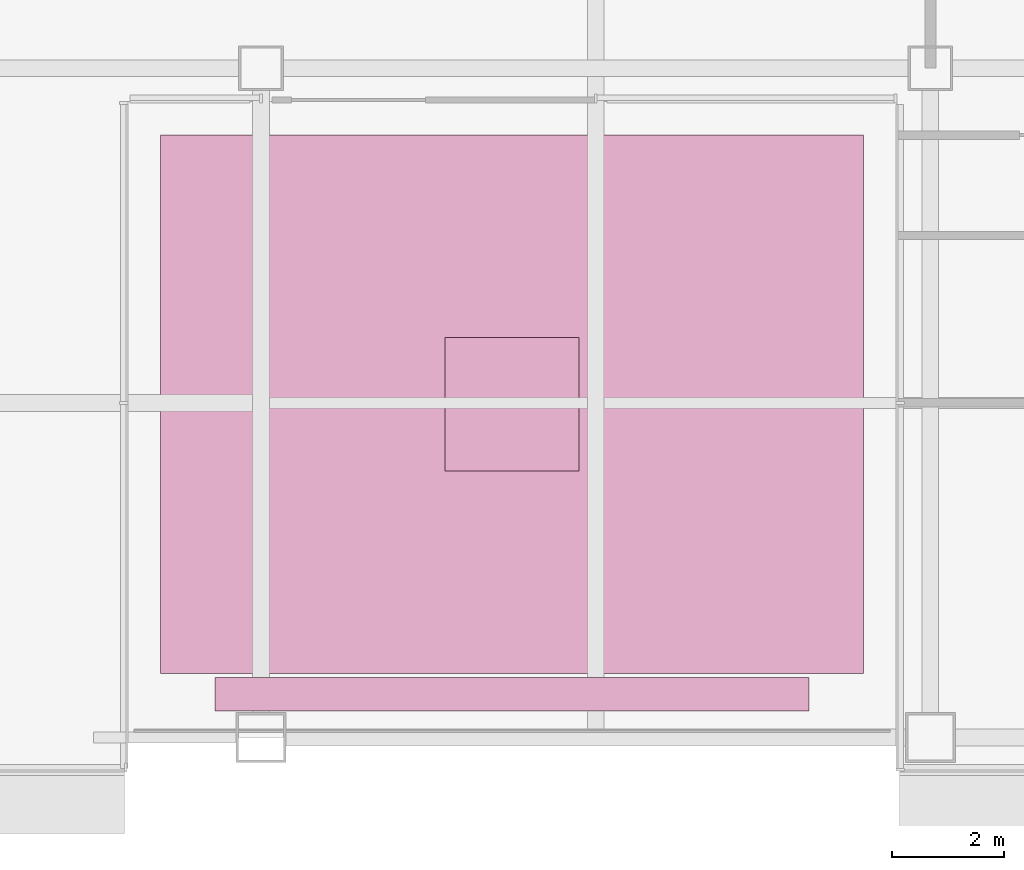
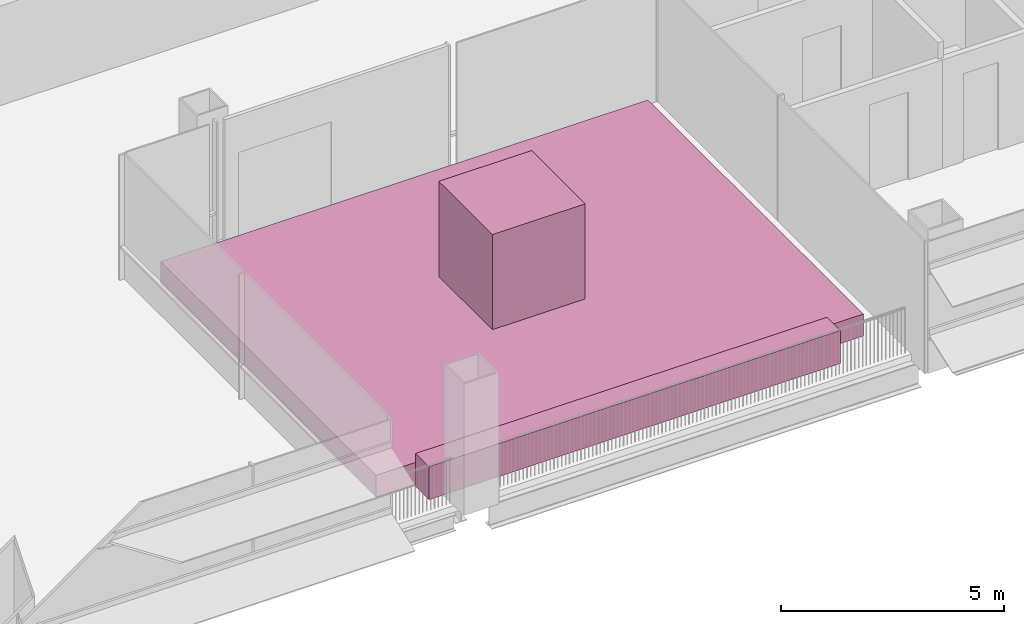
# One storey, part 27 of 27: 3 furniture elements.
"""IFC4 building model written with IfcOpenShell, lengths in metres."""

from ifc_helpers import new_model, si_unit, direction, frame, origin, origin_2d, place, context, subcontext, project, spatial, rectangle, extrude, material, type_object, element, save


model = new_model("IFC4")

# Units and contexts
model_context = context("Model", 3, precision=1e-05, world=origin(), true_north=direction((0.0, 1.0)))
body_context = subcontext(model_context, "Body", "Model", "MODEL_VIEW")
ifc_project = project(units=[si_unit("LENGTHUNIT", "METRE"), si_unit("AREAUNIT", "SQUARE_METRE"), si_unit("VOLUMEUNIT", "CUBIC_METRE"), si_unit("PLANEANGLEUNIT", "RADIAN"), si_unit("MASSUNIT", "GRAM", prefix="KILO")], contexts=[model_context])

# Site, building, storey
site_placement = place(None, origin())
site = spatial("IfcSite", under=ifc_project, at=site_placement, CompositionType="ELEMENT")
building_placement = place(site_placement, origin())
building = spatial("IfcBuilding", under=site, at=building_placement, Name="Sorahane Residences", CompositionType="ELEMENT")
storey_placement = place(building_placement, frame((0.0, 0.0, 82.199951171875)))
storey = spatial("IfcBuildingStorey", under=building, at=storey_placement, Name="L17", CompositionType="ELEMENT", Elevation=82.199951171875)

# Furniture
ifc_material_1 = material(Name="Planting soil with shrubs in a steel-framed bed", Category="steel")
furniture_type_1 = type_object("IfcFurnitureType", Name="PLANTER bed black steel frame with soil 12600x9650", AssemblyPlace="NOTDEFINED", PredefinedType="NOTDEFINED", material=ifc_material_1)
furniture_1_placement = place(storey_placement, frame((28.5, 5.97509765625, 0.0), z_axis=(0.0, 0.0, 1.0), x_axis=(1.0, 0.0, 0.0)))
element("IfcFurniture", 1, at=furniture_1_placement, inside=storey, type_object=furniture_type_1, Name="PLANTER bed L17.1.1", PredefinedType="NOTDEFINED", context=body_context, shape_type="SweptSolid", body=[
    extrude(rectangle(XDim=12.60009765625, YDim=9.64990234375, at=origin_2d()), origin(), (0.0, 0.0, 1.0), 0.60009765625),
])
ifc_material_2 = material(Name="Planting soil with hedge in a steel-framed trough", Category="steel")
furniture_type_2 = type_object("IfcFurnitureType", Name="PLANTER hedge strip black steel frame with soil", AssemblyPlace="NOTDEFINED", PredefinedType="NOTDEFINED", material=ifc_material_2)
furniture_2_placement = place(storey_placement, frame((28.5, 0.780029296875, 0.0), z_axis=(0.0, 0.0, 1.0), x_axis=(-1.0, 0.0, 0.0)))
element("IfcFurniture", 2, at=furniture_2_placement, inside=storey, type_object=furniture_type_2, Name="PLANTER hedge L17.1.1", PredefinedType="NOTDEFINED", context=body_context, shape_type="SweptSolid", body=[
    extrude(rectangle(XDim=10.639892578125, YDim=0.60009765625, at=origin_2d()), origin(), (0.0, 0.0, 1.0), 0.89990234375),
])
ifc_material_3 = material(Name="Green foliage shrub planting")
furniture_type_3 = type_object("IfcFurnitureType", Name="PLANTER shrub planting green foliage", AssemblyPlace="NOTDEFINED", PredefinedType="NOTDEFINED", material=ifc_material_3)
furniture_3_placement = place(storey_placement, frame((28.5, 5.97509765625, 0.60009765625), z_axis=(0.0, 0.0, 1.0), x_axis=(1.0, 0.0, 0.0)))
element("IfcFurniture", 3, at=furniture_3_placement, inside=storey, type_object=furniture_type_3, Name="PLANTER shrub L17.1.1", PredefinedType="NOTDEFINED", context=body_context, shape_type="SweptSolid", body=[
    extrude(rectangle(XDim=2.39990234375, YDim=2.39990234375, at=origin_2d()), origin(), (0.0, 0.0, 1.0), 2.60009765625),
])

save(model, "model.ifc")
